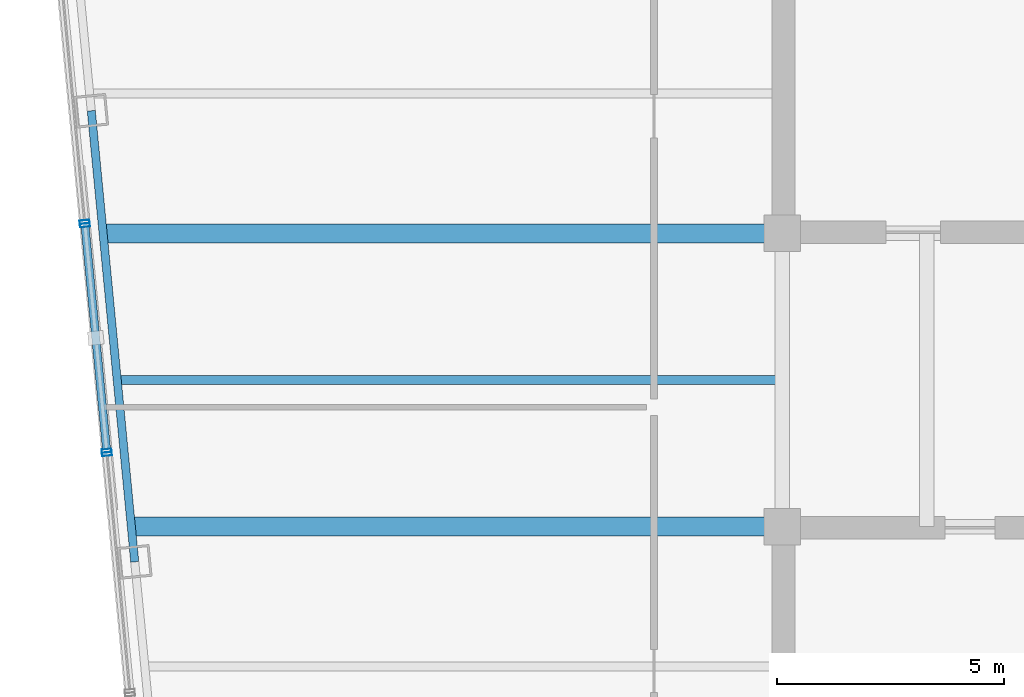
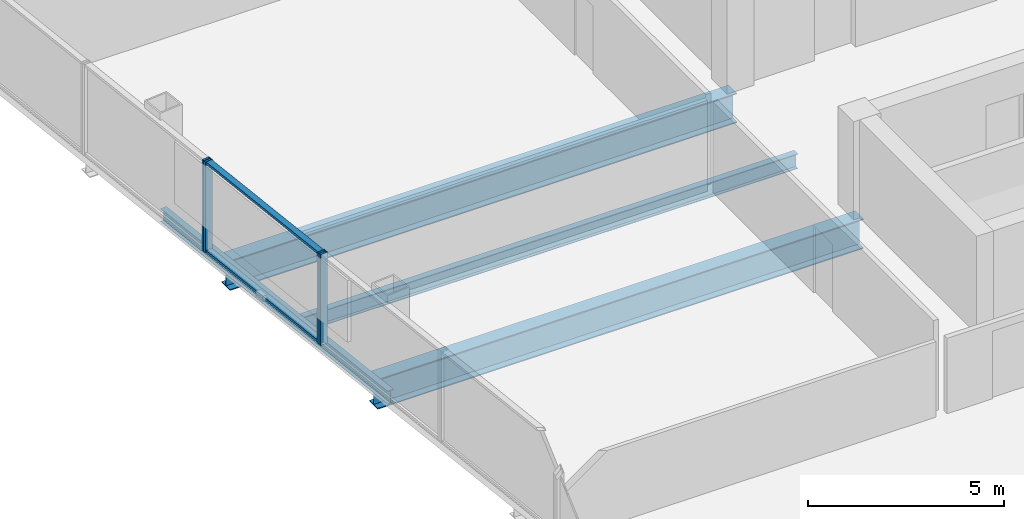
# One storey, part 6 of 22: 6 members, 4 beams, 3 elements without a shape of their own.
"""IFC4 building model written with IfcOpenShell, lengths in metres."""

import ifcopenshell
import ifcopenshell.guid

model = None  # the IFC model being written
_history = None  # IfcOwnerHistory: only IFC2X3 demands one
_inside = {}  # id of a spatial element -> (the spatial element, [elements in it])
_under = {}  # id of a project, library or spatial element -> (it, [spatial elements below it])
_declared = {}  # id of a project -> (the project, [libraries it declares])
_typed = {}  # id of a type object -> (the type object, [elements of that type])
_made_of = {}  # id of a material, layer set ... -> (it, [elements and type objects made of it])


def new_model(schema):
    """Start an empty IFC model of exactly this schema.

    Asked for "IFC4X3", IfcOpenShell would pick the latest addendum, in which some entities
    have other attributes; the version numbers below select the first issue.
    IFC2X3 requires an IfcOwnerHistory on every rooted entity: one is made here for all.
    """
    global model, _history
    if schema == "IFC4X3":
        model = ifcopenshell.file(schema_version=(4, 3, 0, 0))
    else:
        model = ifcopenshell.file(schema=schema)
    _inside.clear()
    _under.clear()
    _declared.clear()
    _typed.clear()
    _made_of.clear()
    _history = None
    if model.schema == "IFC2X3":
        org = make("IfcOrganization", Name="unknown")
        user = make(
            "IfcPersonAndOrganization",
            ThePerson=make("IfcPerson", FamilyName="unknown"),
            TheOrganization=org,
        )
        app = make(
            "IfcApplication",
            ApplicationDeveloper=org,
            Version="unknown",
            ApplicationFullName="unknown",
            ApplicationIdentifier="unknown",
        )
        _history = make(
            "IfcOwnerHistory",
            OwningUser=user,
            OwningApplication=app,
            ChangeAction="ADDED",
            CreationDate=0,
        )
    return model


def make(cls, **values):
    """One entity of the class cls with the attributes given. An attribute that is None is left unset."""
    return model.create_entity(
        cls, **{name: value for name, value in values.items() if value is not None}
    )


def rooted(cls, **values):
    """An entity with a GlobalId (a new one), such as an element, a storey or a relation."""
    return make(cls, GlobalId=ifcopenshell.guid.new(), OwnerHistory=_history, **values)


def si_unit(unit_type, name, prefix=None):
    """IfcSIUnit, for example si_unit("LENGTHUNIT", "METRE", prefix="MILLI")."""
    return make("IfcSIUnit", UnitType=unit_type, Prefix=prefix, Name=name)


def assignment(units):
    """IfcUnitAssignment: the units of a project."""
    return None if units is None else make("IfcUnitAssignment", Units=units)


def point(xyz):
    """IfcCartesianPoint."""
    return None if xyz is None else make("IfcCartesianPoint", Coordinates=xyz)


def direction(xyz):
    """IfcDirection."""
    return None if xyz is None else make("IfcDirection", DirectionRatios=xyz)


def frame(location, z_axis=None, x_axis=None):
    """IfcAxis2Placement3D, a coordinate frame: its origin and axes. An axis left out is left unset."""
    return make(
        "IfcAxis2Placement3D",
        Location=point(location),
        Axis=direction(z_axis),
        RefDirection=direction(x_axis),
    )


def frame_2d(location, x_axis=None):
    """IfcAxis2Placement2D, a coordinate frame in the plane: its origin and x axis."""
    return make(
        "IfcAxis2Placement2D", Location=point(location), RefDirection=direction(x_axis)
    )


def origin():
    """The frame at (0, 0, 0) with its axes left unset."""
    return frame((0.0, 0.0, 0.0))


def origin_2d():
    """The frame at (0, 0) in the plane with its x axis left unset."""
    return frame_2d((0.0, 0.0))


def place(relative_to, where):
    """IfcLocalPlacement: puts the frame where relative to a parent placement (None: the world)."""
    return make(
        "IfcLocalPlacement", PlacementRelTo=relative_to, RelativePlacement=where
    )


def context(
    kind, dimensions, precision=None, world=None, true_north=None, identifier=None
):
    """IfcGeometricRepresentationContext, for example the 3D "Model" context."""
    return make(
        "IfcGeometricRepresentationContext",
        ContextIdentifier=identifier,
        ContextType=kind,
        CoordinateSpaceDimension=dimensions,
        Precision=precision,
        WorldCoordinateSystem=world,
        TrueNorth=true_north,
    )


def subcontext(parent, identifier, kind, view, scale=None):
    """IfcGeometricRepresentationSubContext, for example "Body" below "Model"."""
    return make(
        "IfcGeometricRepresentationSubContext",
        ContextIdentifier=identifier,
        ContextType=kind,
        ParentContext=parent,
        TargetScale=scale,
        TargetView=view,
    )


def project(units=None, contexts=None):
    """IfcProject with its units and contexts."""
    return rooted(
        "IfcProject",
        Name="project",
        RepresentationContexts=contexts,
        UnitsInContext=assignment(units),
    )


def spatial(cls, under=None, at=None, **own):
    """A site, building, storey or space (cls), placed at a placement, below another one or the project."""
    s = rooted(cls, ObjectPlacement=at, **own)
    if under is not None:
        _under.setdefault(under.id(), (under, []))[1].append(s)
    return s


def profile(cls, at=None, kind="AREA", **sizes):
    """A parametric profile (cls). Its sizes go by their IFC names, for example OverallWidth=200.0."""
    return make(cls, ProfileType=kind, Position=at, **sizes)


def hollow_rectangle(**sizes):
    """IfcRectangleHollowProfileDef."""
    return profile("IfcRectangleHollowProfileDef", **sizes)


def i_section(**sizes):
    """IfcIShapeProfileDef."""
    return profile("IfcIShapeProfileDef", **sizes)


def extrude(swept, where, along, depth):
    """IfcExtrudedAreaSolid: the profile swept, set in the frame where, extruded along a direction by depth."""
    return make(
        "IfcExtrudedAreaSolid",
        SweptArea=swept,
        Position=where,
        ExtrudedDirection=direction(along),
        Depth=depth,
    )


def shape(context_of_items, identifier, shape_type, items):
    """IfcShapeRepresentation: the items that make up one representation, for example the "Body"."""
    return make(
        "IfcShapeRepresentation",
        ContextOfItems=context_of_items,
        RepresentationIdentifier=identifier,
        RepresentationType=shape_type,
        Items=items,
    )


def material(Name=None, Category=None):
    """IfcMaterial."""
    return make("IfcMaterial", Name=Name, Category=Category)


def layer(
    of_material, thickness, ventilated=None, Name=None, Category=None, Priority=None
):
    """IfcMaterialLayer: one layer of a wall or slab, of a material (None: an air gap)."""
    return make(
        "IfcMaterialLayer",
        Material=of_material,
        LayerThickness=thickness,
        IsVentilated=ventilated,
        Name=Name,
        Category=Category,
        Priority=Priority,
    )


def layer_set(layers, Name=None):
    """IfcMaterialLayerSet."""
    return make("IfcMaterialLayerSet", MaterialLayers=layers, LayerSetName=Name)


def material_profile(
    of_material, cross_section, Name=None, Category=None, Priority=None
):
    """IfcMaterialProfile: a cross section and its material."""
    return make(
        "IfcMaterialProfile",
        Name=Name,
        Material=of_material,
        Profile=cross_section,
        Priority=Priority,
        Category=Category,
    )


def profile_set(profiles, Name=None, composite=None):
    """IfcMaterialProfileSet."""
    return make(
        "IfcMaterialProfileSet",
        Name=Name,
        MaterialProfiles=profiles,
        CompositeProfile=composite,
    )


def made_of(thing, what):
    """Note that an element or type object is made of a material, layer set ...; save() writes the relation."""
    if what is not None:
        _made_of.setdefault(what.id(), (what, []))[1].append(thing)
    return thing


def type_object(cls, material=None, **own):
    """A type object (cls), such as IfcWallType, which elements share."""
    return made_of(rooted(cls, **own), material)


def element(
    cls,
    number,
    at=None,
    inside=None,
    cuts=None,
    type_object=None,
    material=None,
    context=None,
    identifier="Body",
    shape_type=None,
    held_by="IfcProductDefinitionShape",
    body=None,
    shapes=None,
    **own,
):
    """One element of the class cls, such as IfcWall. Its Tag is "e" and its number.

    at: its placement. inside: the storey or other place that contains it. cuts: it is an
    opening in that element (IfcRelVoidsElement). A single representation is given by context,
    identifier, shape_type and body (its items); several are given by shapes. held_by: the class
    of the entity that holds the representations. save() writes the other relations.
    """
    e = rooted(cls, Tag="e%d" % number, ObjectPlacement=at, **own)
    if body is not None:
        shapes = [shape(context, identifier, shape_type, body)]
    if shapes is not None:
        e.Representation = make(held_by, Representations=shapes)
    if inside is not None:
        _inside.setdefault(inside.id(), (inside, []))[1].append(e)
    if cuts is not None:
        rooted(
            "IfcRelVoidsElement", RelatingBuildingElement=cuts, RelatedOpeningElement=e
        )
    if type_object is not None:
        _typed.setdefault(type_object.id(), (type_object, []))[1].append(e)
    return made_of(e, material)


def aggregate(whole, parts):
    """IfcRelAggregates: a whole, such as a stair, and the parts it consists of."""
    return rooted("IfcRelAggregates", RelatingObject=whole, RelatedObjects=parts)


def save(model, path):
    """Write the relations noted so far, then the file.

    IfcRelAggregates (storeys below a building ...), IfcRelContainedInSpatialStructure (elements
    in a storey), IfcRelDefinesByType, IfcRelAssociatesMaterial and IfcRelDeclares: one each for
    every whole, place, type object, material and project.
    """
    for whole, parts in _under.values():
        aggregate(whole, parts)
    for where, things in _inside.values():
        rooted(
            "IfcRelContainedInSpatialStructure",
            RelatedElements=things,
            RelatingStructure=where,
        )
    for kind, things in _typed.values():
        rooted("IfcRelDefinesByType", RelatedObjects=things, RelatingType=kind)
    for what, things in _made_of.values():
        rooted("IfcRelAssociatesMaterial", RelatedObjects=things, RelatingMaterial=what)
    for by, libraries in _declared.values():
        rooted("IfcRelDeclares", RelatingContext=by, RelatedDefinitions=libraries)
    model.write(path)


model = new_model("IFC4")

# Units and contexts
model_context = context("Model", 3, precision=1e-05, world=origin(), true_north=direction((0.0, 1.0)))
body_context = subcontext(model_context, "Body", "Model", "MODEL_VIEW")
ifc_project = project(units=[si_unit("LENGTHUNIT", "METRE"), si_unit("AREAUNIT", "SQUARE_METRE"), si_unit("VOLUMEUNIT", "CUBIC_METRE"), si_unit("PLANEANGLEUNIT", "RADIAN"), si_unit("MASSUNIT", "GRAM", prefix="KILO")], contexts=[model_context])

# Site, building, storey
site_placement = place(None, origin())
site = spatial("IfcSite", under=ifc_project, at=site_placement, CompositionType="ELEMENT")
building_placement = place(site_placement, origin())
building = spatial("IfcBuilding", under=site, at=building_placement, Name="Qhalaya Broadcast Tower", CompositionType="ELEMENT")
storey_placement = place(building_placement, frame((0.0, 0.0, 165.300048828125)))
storey = spatial("IfcBuildingStorey", under=building, at=storey_placement, Name="L48", CompositionType="ELEMENT", Elevation=165.300048828125)

# Beams
ifc_material_1 = material(Name="Structural Steel ASTM A992 Grade 50", Category="steel")
ifc_material_profile_1 = material_profile(ifc_material_1, i_section(OverallWidth=0.19189453125, OverallDepth=0.462890625, WebThickness=0.010498046875, FlangeThickness=0.017578125, at=origin_2d()), Name="W18X60")
ifc_profile_set_1 = profile_set([ifc_material_profile_1], Name="Structural Steel ASTM A992 Grade 50")
beam_type_1 = type_object("IfcBeamType", Name="Composite Floor Joist J03", PredefinedType="JOIST", material=ifc_profile_set_1)
beam_1_placement = place(storey_placement, frame((-23.982421875, 0.60009765625, -0.45166015625), z_axis=(1.0, 0.0, 0.0), x_axis=(0.0, 1.0, 0.0)))
element("IfcBeam", 1, at=beam_1_placement, inside=storey, type_object=beam_type_1, Name="L48 J03 L48-JWE4W-1", PredefinedType="JOIST", context=body_context, shape_type="SweptSolid", body=[
    extrude(i_section(OverallWidth=0.19189453125, OverallDepth=0.462890625, WebThickness=0.010498046875, FlangeThickness=0.017578125, at=origin_2d()), origin(), (0.0, 0.0, 1.0), 14.607421875),
])
ifc_material_profile_2 = material_profile(ifc_material_1, i_section(OverallWidth=0.4189453125, OverallDepth=0.927001953125, WebThickness=0.019287109375, FlangeThickness=0.031982421875, at=origin_2d()), Name="W36X231")
ifc_profile_set_2 = profile_set([ifc_material_profile_2], Name="Structural Steel ASTM A992 Grade 50")
beam_type_2 = type_object("IfcBeamType", Name="Mid Block Primary Girder PG3", PredefinedType="USERDEFINED", material=ifc_profile_set_2)
beam_2_placement = place(storey_placement, frame((-23.671875, -2.625, -0.68359375), z_axis=(1.0, 0.0, 0.0), x_axis=(0.0, 1.0, 0.0)))
element("IfcBeam", 2, at=beam_2_placement, inside=storey, type_object=beam_type_2, Name="L48 PG3 L48-PGYW2-1", ObjectType="GIRDER", PredefinedType="USERDEFINED", context=body_context, shape_type="SweptSolid", body=[
    extrude(i_section(OverallWidth=0.4189453125, OverallDepth=0.927001953125, WebThickness=0.019287109375, FlangeThickness=0.031982421875, at=origin_2d()), origin(), (0.0, 0.0, 1.0), 14.296875),
])
beam_3_placement = place(storey_placement, frame((-24.29296875, 3.824951171875, -0.68359375), z_axis=(1.0, 0.0, 0.0), x_axis=(0.0, 1.0, 0.0)))
element("IfcBeam", 3, at=beam_3_placement, inside=storey, type_object=beam_type_2, Name="L48 PG3 L48-PGYW3-1", ObjectType="GIRDER", PredefinedType="USERDEFINED", context=body_context, shape_type="SweptSolid", body=[
    extrude(i_section(OverallWidth=0.4189453125, OverallDepth=0.927001953125, WebThickness=0.019287109375, FlangeThickness=0.031982421875, at=origin_2d()), origin(), (0.0, 0.0, 1.0), 14.91796875),
])

# Curtain wall, member
ifc_material_2 = material(Name="Solar-Control Low-E Triple Glazing", Category="glass")
ifc_layer_1 = layer(ifc_material_2, 0.219970703125, Name="Solar-Control Low-E Triple Glazing")
ifc_layer_set_1 = layer_set([ifc_layer_1], Name="Solar-Control Low-E Triple Glazing")
curtain_wall_type_1 = type_object("IfcCurtainWallType", Name="Even-Block 4-Storey Double-Module Curtain Wall CW-03", PredefinedType="NOTDEFINED", material=ifc_layer_set_1)
curtain_wall_1_placement = place(storey_placement, origin())
curtain_wall_1 = element("IfcCurtainWall", 4, at=curtain_wall_1_placement, inside=storey, type_object=curtain_wall_type_1, Name="L48 Unitised Curtain Wall L48-CW-W3", PredefinedType="NOTDEFINED")
ifc_material_3 = material(Name="Anodised Aluminium 6063-T6", Category="aluminium")
ifc_material_profile_3 = material_profile(ifc_material_3, hollow_rectangle(XDim=0.074951171875, YDim=0.219970703125, WallThickness=0.00390625, at=origin_2d()), Name="ALU-MUL 75x220x4")
ifc_profile_set_3 = profile_set([ifc_material_profile_3], Name="Anodised Aluminium 6063-T6")
member_type_1 = type_object("IfcMemberType", Name="Unitised Curtain-Wall Mullion M01", PredefinedType="MULLION", material=ifc_profile_set_3)
member_1_placement = place(storey_placement, frame((-24.718994140625, 4.078125, 0.0), z_axis=(0.0, 0.0, 1.0), x_axis=(0.095839772631, -0.995396774147, 0.0)))
member_1 = element("IfcMember", 5, at=member_1_placement, type_object=member_type_1, Name="CW-03 mullion 2", PredefinedType="MULLION", context=body_context, shape_type="SweptSolid", body=[
    extrude(hollow_rectangle(XDim=0.074951171875, YDim=0.219970703125, WallThickness=0.00390625, at=origin_2d()), origin(), (0.0, 0.0, 1.0), 2.829833984375),
])
aggregate(curtain_wall_1, [member_1])

# Curtain wall, members
ifc_material_4 = material(Name="Fired Architectural Terracotta", Category="masonry")
ifc_layer_2 = layer(ifc_material_4, 0.219970703125, Name="Fired Architectural Terracotta")
ifc_layer_set_2 = layer_set([ifc_layer_2], Name="Fired Architectural Terracotta")
curtain_wall_type_2 = type_object("IfcCurtainWallType", Name="Block-Cap Unitised Terracotta Spandrel Wall CW-07", PredefinedType="NOTDEFINED", material=ifc_layer_set_2)
curtain_wall_2_placement = place(storey_placement, origin())
curtain_wall_2 = element("IfcCurtainWall", 6, at=curtain_wall_2_placement, inside=storey, type_object=curtain_wall_type_2, Name="L48 Unitised Curtain Wall L48-CW-W4", PredefinedType="NOTDEFINED")
member_2_placement = place(storey_placement, frame((-24.7119140625, 4.00341796875, 0.0), z_axis=(0.0, 0.0, 1.0), x_axis=(0.095846949325, -0.995396083127, 0.0)))
member_2 = element("IfcMember", 7, at=member_2_placement, type_object=member_type_1, Name="CW-07 mullion 1", PredefinedType="MULLION", context=body_context, shape_type="SweptSolid", body=[
    extrude(hollow_rectangle(XDim=0.074951171875, YDim=0.219970703125, WallThickness=0.00390625, at=origin_2d()), origin(), (0.0, 0.0, 1.0), 2.829833984375),
])
member_3_placement = place(storey_placement, frame((-24.234375, -0.95458984375, 0.0), z_axis=(0.0, 0.0, 1.0), x_axis=(0.095846949325, -0.995396083127, 0.0)))
member_3 = element("IfcMember", 8, at=member_3_placement, type_object=member_type_1, Name="CW-07 mullion 2", PredefinedType="MULLION", context=body_context, shape_type="SweptSolid", body=[
    extrude(hollow_rectangle(XDim=0.074951171875, YDim=0.219970703125, WallThickness=0.00390625, at=origin_2d()), origin(), (0.0, 0.0, 1.0), 2.829833984375),
])

# Curtain wall, member
curtain_wall_3_placement = place(storey_placement, origin())
curtain_wall_3 = element("IfcCurtainWall", 9, at=curtain_wall_3_placement, inside=storey, type_object=curtain_wall_type_1, Name="L48 Unitised Curtain Wall L48-CW-W5", PredefinedType="NOTDEFINED")
member_4_placement = place(storey_placement, frame((-24.227294921875, -1.029296875, 0.0), z_axis=(0.0, 0.0, 1.0), x_axis=(0.095837976406, -0.995396947091, 0.0)))
member_4 = element("IfcMember", 10, at=member_4_placement, type_object=member_type_1, Name="CW-03 mullion 1", PredefinedType="MULLION", context=body_context, shape_type="SweptSolid", body=[
    extrude(hollow_rectangle(XDim=0.074951171875, YDim=0.219970703125, WallThickness=0.00390625, at=origin_2d()), origin(), (0.0, 0.0, 1.0), 2.829833984375),
])
aggregate(curtain_wall_3, [member_4])

# Member
ifc_material_profile_4 = material_profile(ifc_material_3, hollow_rectangle(XDim=0.074951171875, YDim=0.179931640625, WallThickness=0.00390625, at=origin_2d()), Name="ALU-TRN 75x180x4")
ifc_profile_set_4 = profile_set([ifc_material_profile_4], Name="Anodised Aluminium 6063-T6")
member_type_2 = type_object("IfcMemberType", Name="Unitised Curtain-Wall Transom T01", PredefinedType="USERDEFINED", material=ifc_profile_set_4)
member_5_placement = place(storey_placement, frame((-24.708251953125, 3.966064453125, 0.037353515625), z_axis=(0.0958470571, -0.99539607275, 0.0), x_axis=(0.0, 0.0, 1.0)))
member_5 = element("IfcMember", 11, at=member_5_placement, type_object=member_type_2, Name="CW-07 transom 1.1", ObjectType="TRANSOM", PredefinedType="USERDEFINED", context=body_context, shape_type="SweptSolid", body=[
    extrude(hollow_rectangle(XDim=0.074951171875, YDim=0.179931640625, WallThickness=0.00390625, at=origin_2d()), origin(), (0.0, 0.0, 1.0), 4.906005859375),
])

member_6_placement = place(storey_placement, frame((-24.708251953125, 3.966064453125, 2.79248046875), z_axis=(0.0958470571, -0.99539607275, 0.0), x_axis=(0.0, 0.0, 1.0)))
member_6 = element("IfcMember", 12, at=member_6_placement, type_object=member_type_2, Name="CW-07 transom 1.2", ObjectType="TRANSOM", PredefinedType="USERDEFINED", context=body_context, shape_type="SweptSolid", body=[
    extrude(hollow_rectangle(XDim=0.074951171875, YDim=0.179931640625, WallThickness=0.00390625, at=origin_2d()), origin(), (0.0, 0.0, 1.0), 4.906005859375),
])

aggregate(curtain_wall_2, [member_2, member_3, member_5, member_6])

# Beam
ifc_material_profile_5 = material_profile(ifc_material_1, i_section(OverallWidth=0.177978515625, OverallDepth=0.406005859375, WebThickness=0.0078125, FlangeThickness=0.0126953125, at=origin_2d()), Name="W16X40")
ifc_profile_set_5 = profile_set([ifc_material_profile_5], Name="Structural Steel ASTM A992 Grade 50")
beam_type_3 = type_object("IfcBeamType", Name="Upper Perimeter Spandrel Beam SP2", PredefinedType="SPANDREL", material=ifc_profile_set_5)
beam_4_placement = place(storey_placement, frame((-24.572509765625, 6.521240234375, -0.423095703125), z_axis=(0.095850563819, -0.99539573508, 0.0), x_axis=(0.99539573508, 0.095850563819, 0.0)))
element("IfcBeam", 13, at=beam_4_placement, inside=storey, type_object=beam_type_3, Name="L48 SP2 L48-SPR-14", PredefinedType="SPANDREL", context=body_context, shape_type="SweptSolid", body=[
    extrude(i_section(OverallWidth=0.177978515625, OverallDepth=0.406005859375, WebThickness=0.0078125, FlangeThickness=0.0126953125, at=origin_2d()), origin(), (0.0, 0.0, 1.0), 9.966796875),
])

save(model, "model.ifc")
